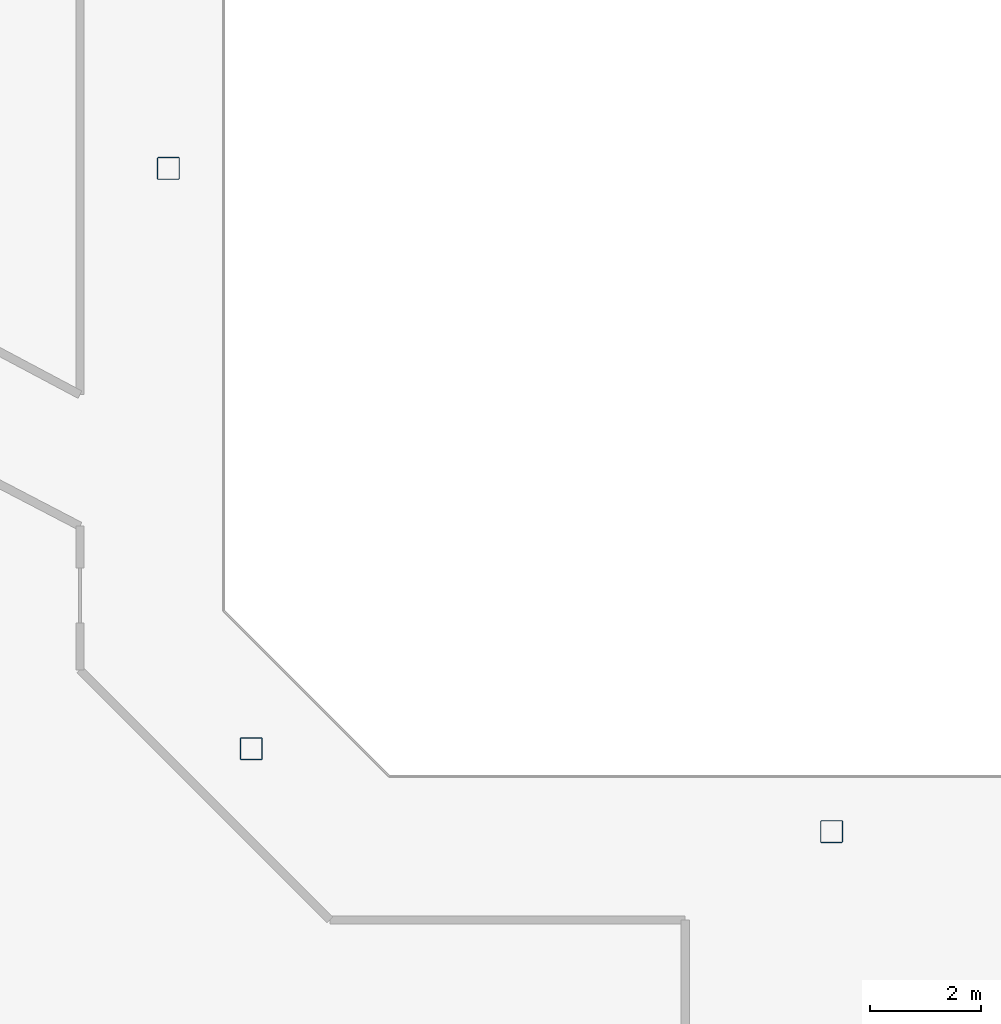
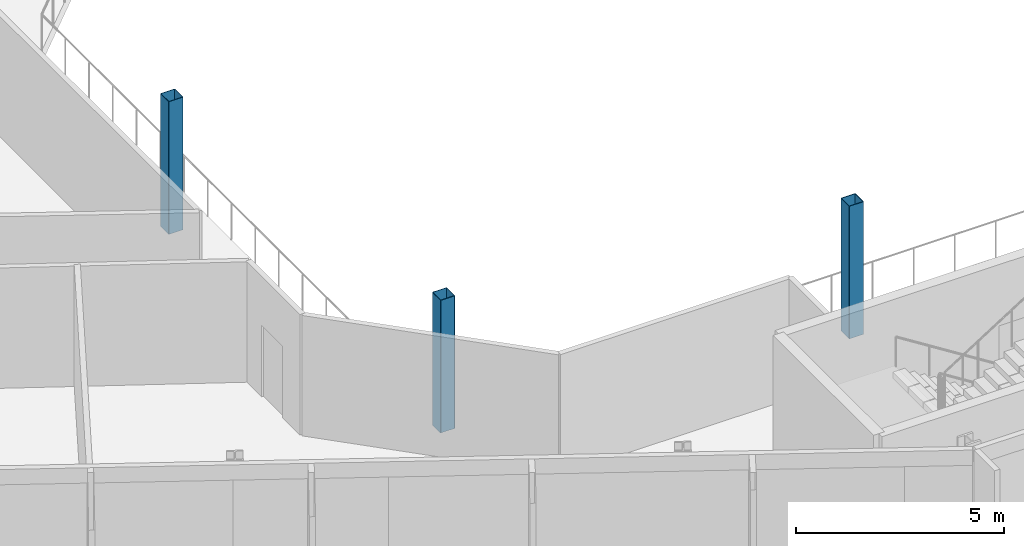
# One storey, part 2 of 27: 3 columns.
"""IFC4 building model written with IfcOpenShell, lengths in metres."""

from ifc_helpers import new_model, si_unit, direction, frame, origin, origin_2d, place, context, subcontext, project, spatial, hollow_rectangle, extrude, material, material_profile, profile_set, type_object, element, save


model = new_model("IFC4")

# Units and contexts
model_context = context("Model", 3, precision=1e-05, world=origin(), true_north=direction((0.0, 1.0)))
body_context = subcontext(model_context, "Body", "Model", "MODEL_VIEW")
ifc_project = project(units=[si_unit("LENGTHUNIT", "METRE"), si_unit("AREAUNIT", "SQUARE_METRE"), si_unit("VOLUMEUNIT", "CUBIC_METRE"), si_unit("PLANEANGLEUNIT", "RADIAN"), si_unit("MASSUNIT", "GRAM", prefix="KILO")], contexts=[model_context])

# Site, building, storey
site_placement = place(None, origin())
site = spatial("IfcSite", under=ifc_project, at=site_placement, CompositionType="ELEMENT")
building_placement = place(site_placement, origin())
building = spatial("IfcBuilding", under=site, at=building_placement, Name="Cormorant Relay Tower", CompositionType="ELEMENT")
storey_placement = place(building_placement, frame((0.0, 0.0, 216.89990234375)))
storey = spatial("IfcBuildingStorey", under=building, at=storey_placement, Name="L47", CompositionType="ELEMENT", Elevation=216.89990234375)

# Columns
ifc_material = material(Name="Steel ASTM A500 Grade C (Fy 345 MPa)", Category="steel")
ifc_material_profile = material_profile(ifc_material, hollow_rectangle(XDim=0.406494140625, YDim=0.406494140625, WallThickness=0.0146484375, InnerFilletRadius=0.00732421875, OuterFilletRadius=0.022216796875, at=origin_2d()), Name="HSS406x406x15")
ifc_profile_set = profile_set([ifc_material_profile], Name="Steel ASTM A500 Grade C (Fy 345 MPa)")
column_type = type_object("IfcColumnType", Name="Column HSS406x406x15", PredefinedType="COLUMN", material=ifc_profile_set)
for number, where, z_axis, x_axis, name in (
    (1, (0.0, -12.0, 0.0), (0.0, 0.0, 1.0), (1.0, 0.0, 0.0), "Column L47-007"),
    (2, (-10.5, -10.5, 0.0), (0.0, 0.0, 1.0), (1.0, 0.0, 0.0), "Column L47-009"),
    (3, (-12.0, 0.0, 0.0), (0.0, 0.0, 1.0), (1.0, 0.0, 0.0), "Column L47-015"),
):
    element("IfcColumn", number, at=place(storey_placement, frame(where, z_axis=z_axis, x_axis=x_axis)), inside=storey, type_object=column_type, Name=name, PredefinedType="COLUMN", context=body_context, shape_type="SweptSolid", body=[
        extrude(hollow_rectangle(XDim=0.406494140625, YDim=0.406494140625, WallThickness=0.0146484375, InnerFilletRadius=0.00732421875, OuterFilletRadius=0.022216796875, at=origin_2d()), origin(), (0.0, 0.0, 1.0), 3.900146484375),
    ])

save(model, "model.ifc")
